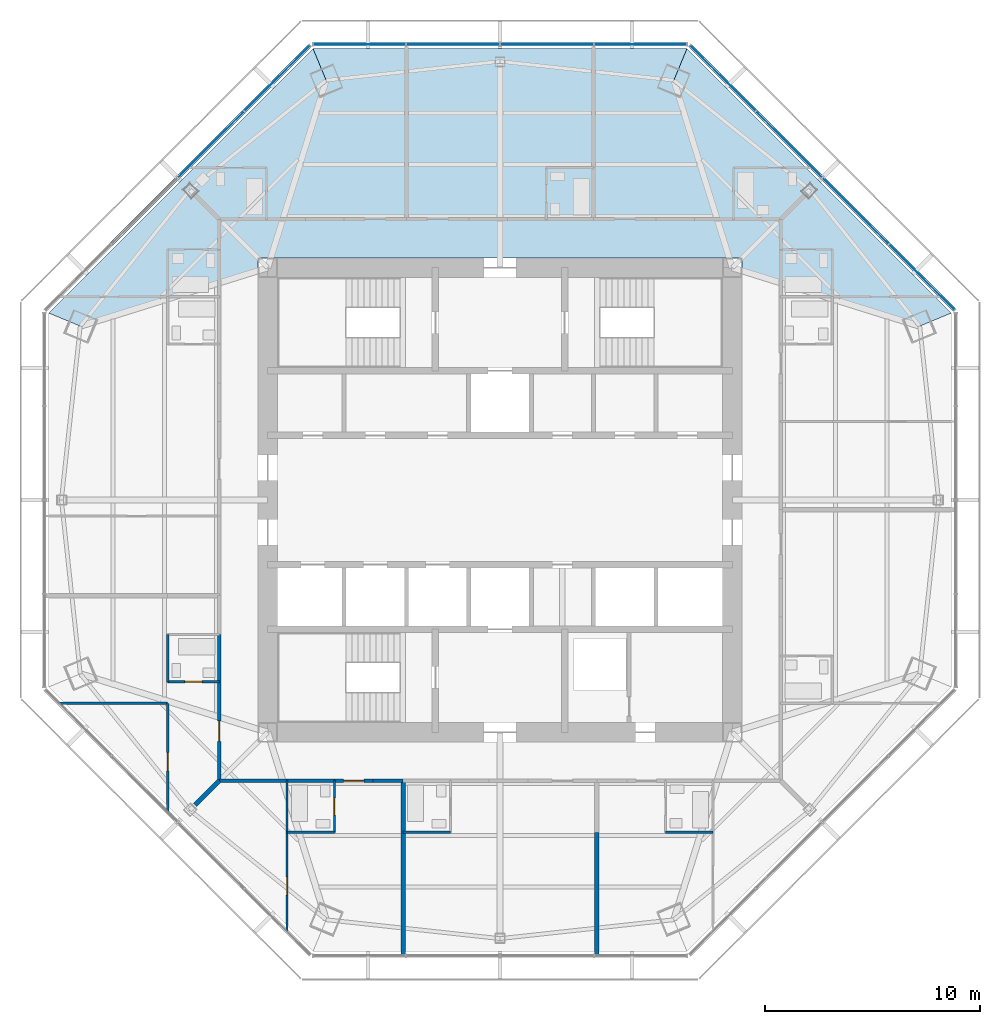
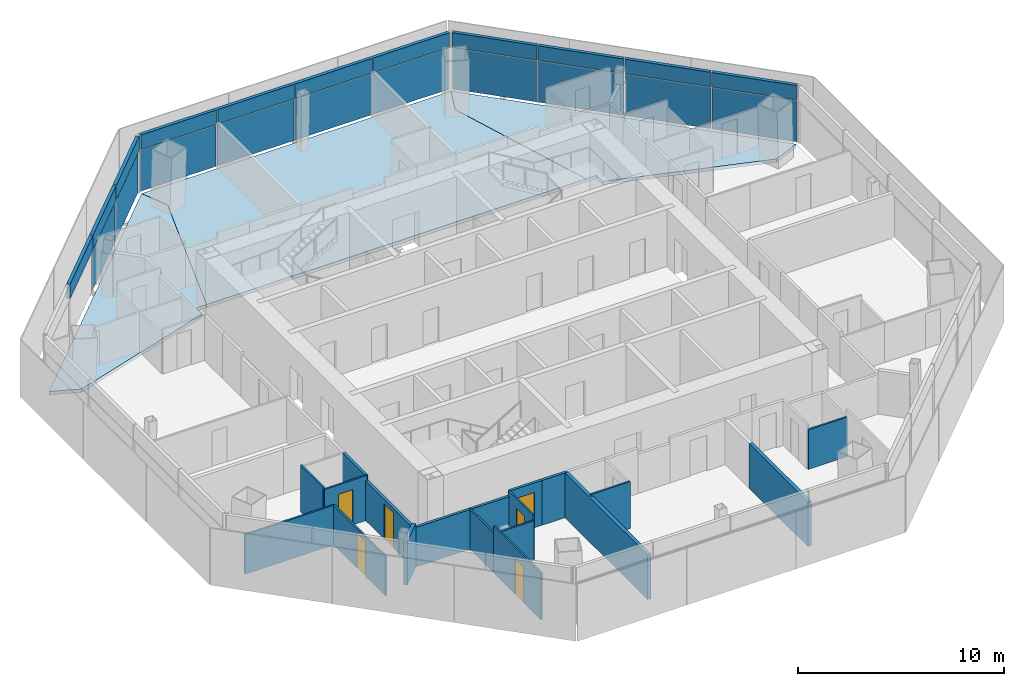
# One storey, part 8 of 14: 21 plates, 19 walls, 6 doors, 3 slabs, 6 openings, 3 elements without a shape of their own.
"""IFC4 building model written with IfcOpenShell, lengths in metres."""

from ifc_helpers import new_model, si_unit, direction, frame, frame_2d, origin, origin_2d, place, context, subcontext, project, spatial, polyline, rectangle, outline, extrude, source, transform, mapped, material, layer, layer_set, type_object, type_shapes, element, fill, aggregate, save


model = new_model("IFC4")

# Units and contexts
model_context = context("Model", 3, precision=1e-05, world=origin(), true_north=direction((0.0, 1.0)))
body_context = subcontext(model_context, "Body", "Model", "MODEL_VIEW")
ifc_project = project(units=[si_unit("LENGTHUNIT", "METRE"), si_unit("AREAUNIT", "SQUARE_METRE"), si_unit("VOLUMEUNIT", "CUBIC_METRE"), si_unit("PLANEANGLEUNIT", "RADIAN"), si_unit("MASSUNIT", "GRAM", prefix="KILO")], contexts=[model_context])

# Site, building, storey
site_placement = place(None, origin())
site = spatial("IfcSite", under=ifc_project, at=site_placement, CompositionType="ELEMENT")
building_placement = place(site_placement, origin())
building = spatial("IfcBuilding", under=site, at=building_placement, Name="Mashrafa Tower", CompositionType="ELEMENT")
storey_placement = place(building_placement, frame((0.0, 0.0, 241.39990234375)))
storey = spatial("IfcBuildingStorey", under=building, at=storey_placement, Name="L57", CompositionType="ELEMENT", Elevation=241.39990234375)

# Slabs
ifc_material_1 = material(Name="Concrete C35/45", Category="concrete")
ifc_layer_1 = layer(ifc_material_1, 0.199951171875)
ifc_layer_set_1 = layer_set([ifc_layer_1], Name="Floor slab 200")
slab_type = type_object("IfcSlabType", Name="Floor slab 200", PredefinedType="FLOOR", material=ifc_layer_set_1)
slab_1_placement = place(storey_placement, frame((0.0, 0.0, -0.199951171875)))
element("IfcSlab", 1, at=slab_1_placement, inside=storey, type_object=slab_type, Name="Floor slab L57 north-east bay", PredefinedType="FLOOR", context=body_context, shape_type="SweptSolid", body=[
    extrude(outline(polyline([(20.98583984375, 8.692626953125), (19.51318359375, 8.082763671875), (11.25, 10.65966796875), (11.25, 11.25), (10.65966796875, 11.25), (8.082763671875, 19.51318359375), (8.692626953125, 20.98583984375), (20.98583984375, 8.692626953125)])), origin(), (0.0, 0.0, 1.0), 0.199951171875),
])
slab_2_placement = place(storey_placement, frame((0.0, 0.0, -0.199951171875)))
element("IfcSlab", 2, at=slab_2_placement, inside=storey, type_object=slab_type, Name="Floor slab L57 north bay", PredefinedType="FLOOR", context=body_context, shape_type="SweptSolid", body=[
    extrude(outline(polyline([(-8.692626953125, 20.98583984375), (8.692626953125, 20.98583984375), (8.692626953125, 20.98583984375), (8.082763671875, 19.51318359375), (10.65966796875, 11.25), (-10.65966796875, 11.25), (-8.082763671875, 19.51318359375), (-8.692626953125, 20.98583984375), (-8.692626953125, 20.98583984375)])), origin(), (0.0, 0.0, 1.0), 0.199951171875),
])
slab_3_placement = place(storey_placement, frame((0.0, 0.0, -0.199951171875)))
element("IfcSlab", 3, at=slab_3_placement, inside=storey, type_object=slab_type, Name="Floor slab L57 north-west bay", PredefinedType="FLOOR", context=body_context, shape_type="SweptSolid", body=[
    extrude(outline(polyline([(-8.692626953125, 20.98583984375), (-8.082763671875, 19.51318359375), (-10.65966796875, 11.25), (-11.25, 11.25), (-11.25, 10.65966796875), (-19.51318359375, 8.082763671875), (-20.98583984375, 8.692626953125), (-8.692626953125, 20.98583984375)])), origin(), (0.0, 0.0, 1.0), 0.199951171875),
])

# Curtain wall, plates
ifc_material_2 = material(Name="Unitised aluminium curtain wall", Category="aluminium")
curtain_wall_type = type_object("IfcCurtainWallType", Name="Apartment curtain wall, zone 3 CW-C 180 deep", PredefinedType="NOTDEFINED", material=ifc_material_2)
curtain_wall_1_placement = place(storey_placement, origin())
curtain_wall_1 = element("IfcCurtainWall", 4, at=curtain_wall_1_placement, inside=storey, type_object=curtain_wall_type, Name="Apartment curtain wall, zone 3 L57 north-east", PredefinedType="NOTDEFINED")
ifc_material_3 = material(Name="Insulated double glazing, acoustic", Category="glass")
ifc_layer_2 = layer(ifc_material_3, 0.028076171875)
ifc_layer_set_2 = layer_set([ifc_layer_2], Name="Vision panel CW-C 28")
plate_type_1 = type_object("IfcPlateType", Name="Vision panel CW-C 28", PredefinedType="CURTAIN_PANEL", material=ifc_layer_set_2)
shared_shape_1 = source(origin(), body_context, "Body", "SweptSolid", [
    extrude(rectangle(XDim=4.274169921875, YDim=0.028076171875, at=origin_2d()), origin(), (0.0, 0.0, 1.0), 2.46240234375),
])
plate_1_placement = place(storey_placement, frame((19.598876953125, 10.362548828125, 0.000244140625), z_axis=(0.0, 0.0, 1.0), x_axis=(-0.707106781187, 0.707106781187, 0.0)))
plate_1 = element("IfcPlate", 5, at=plate_1_placement, type_object=plate_type_1, Name="CW-C vision panel 1", PredefinedType="CURTAIN_PANEL", context=body_context, shape_type="MappedRepresentation", body=[
    mapped(shared_shape_1, transform((0.0, 0.0, 0.0))),
])
plate_2_placement = place(storey_placement, frame((10.362548828125, 19.598876953125, 0.000244140625), z_axis=(0.0, 0.0, 1.0), x_axis=(-0.707106781187, 0.707106781187, 0.0)))
plate_2 = element("IfcPlate", 6, at=plate_2_placement, type_object=plate_type_1, Name="CW-C vision panel 4", PredefinedType="CURTAIN_PANEL", context=body_context, shape_type="MappedRepresentation", body=[
    mapped(shared_shape_1, transform((0.0, 0.0, 0.0))),
])

curtain_wall_2_placement = place(storey_placement, origin())
curtain_wall_2 = element("IfcCurtainWall", 7, at=curtain_wall_2_placement, inside=storey, type_object=curtain_wall_type, Name="Apartment curtain wall, zone 3 L57 north", PredefinedType="NOTDEFINED")
plate_3_placement = place(storey_placement, frame((6.53125, 21.185791015625, 0.000244140625), z_axis=(0.0, 0.0, 1.0), x_axis=(-1.0, 0.0, 0.0)))
plate_3 = element("IfcPlate", 8, at=plate_3_placement, type_object=plate_type_1, Name="CW-C vision panel 1", PredefinedType="CURTAIN_PANEL", context=body_context, shape_type="MappedRepresentation", body=[
    mapped(shared_shape_1, transform((0.0, 0.0, 0.0))),
])
plate_4_placement = place(storey_placement, frame((-6.53125, 21.185791015625, 0.000244140625), z_axis=(0.0, 0.0, 1.0), x_axis=(-1.0, 0.0, 0.0)))
plate_4 = element("IfcPlate", 9, at=plate_4_placement, type_object=plate_type_1, Name="CW-C vision panel 4", PredefinedType="CURTAIN_PANEL", context=body_context, shape_type="MappedRepresentation", body=[
    mapped(shared_shape_1, transform((0.0, 0.0, 0.0))),
])

# Curtain wall, plate
curtain_wall_3_placement = place(storey_placement, origin())
curtain_wall_3 = element("IfcCurtainWall", 10, at=curtain_wall_3_placement, inside=storey, type_object=curtain_wall_type, Name="Apartment curtain wall, zone 3 L57 north-west", PredefinedType="NOTDEFINED")
plate_5_placement = place(storey_placement, frame((-10.362548828125, 19.598876953125, 0.000244140625), z_axis=(0.0, 0.0, 1.0), x_axis=(-0.707106781187, -0.707106781187, 0.0)))
plate_5 = element("IfcPlate", 11, at=plate_5_placement, type_object=plate_type_1, Name="CW-C vision panel 1", PredefinedType="CURTAIN_PANEL", context=body_context, shape_type="MappedRepresentation", body=[
    mapped(shared_shape_1, transform((0.0, 0.0, 0.0))),
])

# Plate
ifc_material_4 = material(Name="Insulated bronze aluminium spandrel panel", Category="aluminium")
ifc_layer_3 = layer(ifc_material_4, 0.179931640625)
ifc_layer_set_3 = layer_set([ifc_layer_3], Name="Spandrel panel CW-C 180")
plate_type_2 = type_object("IfcPlateType", Name="Spandrel panel CW-C 180", PredefinedType="CURTAIN_PANEL", material=ifc_layer_set_3)
shared_shape_2 = source(origin(), body_context, "Body", "SweptSolid", [
    extrude(rectangle(XDim=4.274169921875, YDim=0.179931640625, at=origin_2d()), origin(), (0.0, 0.0, 1.0), 0.862548828125),
])
plate_6_placement = place(storey_placement, frame((19.598876953125, 10.362548828125, 2.53759765625), z_axis=(0.0, 0.0, 1.0), x_axis=(-0.707106781187, 0.707106781187, 0.0)))
plate_6 = element("IfcPlate", 12, at=plate_6_placement, type_object=plate_type_2, Name="CW-C spandrel panel 1", PredefinedType="CURTAIN_PANEL", context=body_context, shape_type="MappedRepresentation", body=[
    mapped(shared_shape_2, transform((0.0, 0.0, 0.0))),
])

plate_7_placement = place(storey_placement, frame((10.362548828125, 19.598876953125, 2.53759765625), z_axis=(0.0, 0.0, 1.0), x_axis=(-0.707106781187, 0.707106781187, 0.0)))
plate_7 = element("IfcPlate", 13, at=plate_7_placement, type_object=plate_type_2, Name="CW-C spandrel panel 4", PredefinedType="CURTAIN_PANEL", context=body_context, shape_type="MappedRepresentation", body=[
    mapped(shared_shape_2, transform((0.0, 0.0, 0.0))),
])

plate_8_placement = place(storey_placement, frame((6.53125, 21.185791015625, 2.53759765625), z_axis=(0.0, 0.0, 1.0), x_axis=(-1.0, 0.0, 0.0)))
plate_8 = element("IfcPlate", 14, at=plate_8_placement, type_object=plate_type_2, Name="CW-C spandrel panel 1", PredefinedType="CURTAIN_PANEL", context=body_context, shape_type="MappedRepresentation", body=[
    mapped(shared_shape_2, transform((0.0, 0.0, 0.0))),
])

plate_9_placement = place(storey_placement, frame((-6.53125, 21.185791015625, 2.53759765625), z_axis=(0.0, 0.0, 1.0), x_axis=(-1.0, 0.0, 0.0)))
plate_9 = element("IfcPlate", 15, at=plate_9_placement, type_object=plate_type_2, Name="CW-C spandrel panel 4", PredefinedType="CURTAIN_PANEL", context=body_context, shape_type="MappedRepresentation", body=[
    mapped(shared_shape_2, transform((0.0, 0.0, 0.0))),
])

plate_10_placement = place(storey_placement, frame((-10.362548828125, 19.598876953125, 2.53759765625), z_axis=(0.0, 0.0, 1.0), x_axis=(-0.707106781187, -0.707106781187, 0.0)))
plate_10 = element("IfcPlate", 16, at=plate_10_placement, type_object=plate_type_2, Name="CW-C spandrel panel 1", PredefinedType="CURTAIN_PANEL", context=body_context, shape_type="MappedRepresentation", body=[
    mapped(shared_shape_2, transform((0.0, 0.0, 0.0))),
])

shared_shape_3 = source(origin(), body_context, "Body", "SweptSolid", [
    extrude(rectangle(XDim=4.30419921875, YDim=0.028076171875, at=origin_2d()), origin(), (0.0, 0.0, 1.0), 2.46240234375),
])
type_shapes(plate_type_1, [shared_shape_1, shared_shape_3])
plate_11_placement = place(storey_placement, frame((16.523681640625, 13.437744140625, 0.000244140625), z_axis=(0.0, 0.0, 1.0), x_axis=(-0.707106781187, 0.707106781187, 0.0)))
plate_11 = element("IfcPlate", 17, at=plate_11_placement, type_object=plate_type_1, Name="CW-C vision panel 2", PredefinedType="CURTAIN_PANEL", context=body_context, shape_type="MappedRepresentation", body=[
    mapped(shared_shape_3, transform((0.0, 0.0, 0.0))),
])

plate_12_placement = place(storey_placement, frame((13.437744140625, 16.523681640625, 0.000244140625), z_axis=(0.0, 0.0, 1.0), x_axis=(-0.707106781187, 0.707106781187, 0.0)))
plate_12 = element("IfcPlate", 18, at=plate_12_placement, type_object=plate_type_1, Name="CW-C vision panel 3", PredefinedType="CURTAIN_PANEL", context=body_context, shape_type="MappedRepresentation", body=[
    mapped(shared_shape_3, transform((0.0, 0.0, 0.0))),
])

plate_13_placement = place(storey_placement, frame((2.18212890625, 21.185791015625, 0.000244140625), z_axis=(0.0, 0.0, 1.0), x_axis=(-1.0, 0.0, 0.0)))
plate_13 = element("IfcPlate", 19, at=plate_13_placement, type_object=plate_type_1, Name="CW-C vision panel 2", PredefinedType="CURTAIN_PANEL", context=body_context, shape_type="MappedRepresentation", body=[
    mapped(shared_shape_3, transform((0.0, 0.0, 0.0))),
])

plate_14_placement = place(storey_placement, frame((-2.18212890625, 21.185791015625, 0.000244140625), z_axis=(0.0, 0.0, 1.0), x_axis=(-1.0, 0.0, 0.0)))
plate_14 = element("IfcPlate", 20, at=plate_14_placement, type_object=plate_type_1, Name="CW-C vision panel 3", PredefinedType="CURTAIN_PANEL", context=body_context, shape_type="MappedRepresentation", body=[
    mapped(shared_shape_3, transform((0.0, 0.0, 0.0))),
])

plate_15_placement = place(storey_placement, frame((-13.437744140625, 16.523681640625, 0.000244140625), z_axis=(0.0, 0.0, 1.0), x_axis=(-0.707106781187, -0.707106781187, 0.0)))
plate_15 = element("IfcPlate", 21, at=plate_15_placement, type_object=plate_type_1, Name="CW-C vision panel 2", PredefinedType="CURTAIN_PANEL", context=body_context, shape_type="MappedRepresentation", body=[
    mapped(shared_shape_3, transform((0.0, 0.0, 0.0))),
])

shared_shape_4 = source(origin(), body_context, "Body", "SweptSolid", [
    extrude(rectangle(XDim=4.30419921875, YDim=0.179931640625, at=origin_2d()), origin(), (0.0, 0.0, 1.0), 0.862548828125),
])
type_shapes(plate_type_2, [shared_shape_2, shared_shape_4])
plate_16_placement = place(storey_placement, frame((16.523681640625, 13.437744140625, 2.53759765625), z_axis=(0.0, 0.0, 1.0), x_axis=(-0.707106781187, 0.707106781187, 0.0)))
plate_16 = element("IfcPlate", 22, at=plate_16_placement, type_object=plate_type_2, Name="CW-C spandrel panel 2", PredefinedType="CURTAIN_PANEL", context=body_context, shape_type="MappedRepresentation", body=[
    mapped(shared_shape_4, transform((0.0, 0.0, 0.0))),
])

plate_17_placement = place(storey_placement, frame((13.437744140625, 16.523681640625, 2.53759765625), z_axis=(0.0, 0.0, 1.0), x_axis=(-0.707106781187, 0.707106781187, 0.0)))
plate_17 = element("IfcPlate", 23, at=plate_17_placement, type_object=plate_type_2, Name="CW-C spandrel panel 3", PredefinedType="CURTAIN_PANEL", context=body_context, shape_type="MappedRepresentation", body=[
    mapped(shared_shape_4, transform((0.0, 0.0, 0.0))),
])

aggregate(curtain_wall_1, [plate_1, plate_6, plate_11, plate_16, plate_12, plate_17, plate_2, plate_7])

plate_18_placement = place(storey_placement, frame((2.18212890625, 21.185791015625, 2.53759765625), z_axis=(0.0, 0.0, 1.0), x_axis=(-1.0, 0.0, 0.0)))
plate_18 = element("IfcPlate", 24, at=plate_18_placement, type_object=plate_type_2, Name="CW-C spandrel panel 2", PredefinedType="CURTAIN_PANEL", context=body_context, shape_type="MappedRepresentation", body=[
    mapped(shared_shape_4, transform((0.0, 0.0, 0.0))),
])

plate_19_placement = place(storey_placement, frame((-2.18212890625, 21.185791015625, 2.53759765625), z_axis=(0.0, 0.0, 1.0), x_axis=(-1.0, 0.0, 0.0)))
plate_19 = element("IfcPlate", 25, at=plate_19_placement, type_object=plate_type_2, Name="CW-C spandrel panel 3", PredefinedType="CURTAIN_PANEL", context=body_context, shape_type="MappedRepresentation", body=[
    mapped(shared_shape_4, transform((0.0, 0.0, 0.0))),
])

aggregate(curtain_wall_2, [plate_3, plate_8, plate_13, plate_18, plate_14, plate_19, plate_4, plate_9])

plate_20_placement = place(storey_placement, frame((-13.437744140625, 16.523681640625, 2.53759765625), z_axis=(0.0, 0.0, 1.0), x_axis=(-0.707106781187, -0.707106781187, 0.0)))
plate_20 = element("IfcPlate", 26, at=plate_20_placement, type_object=plate_type_2, Name="CW-C spandrel panel 2", PredefinedType="CURTAIN_PANEL", context=body_context, shape_type="MappedRepresentation", body=[
    mapped(shared_shape_4, transform((0.0, 0.0, 0.0))),
])

plate_21_placement = place(storey_placement, frame((-16.523681640625, 13.437744140625, 2.53759765625), z_axis=(0.0, 0.0, 1.0), x_axis=(-0.707106781187, -0.707106781187, 0.0)))
plate_21 = element("IfcPlate", 27, at=plate_21_placement, type_object=plate_type_2, Name="CW-C spandrel panel 3", PredefinedType="CURTAIN_PANEL", context=body_context, shape_type="MappedRepresentation", body=[
    mapped(shared_shape_4, transform((0.0, 0.0, 0.0))),
])

aggregate(curtain_wall_3, [plate_5, plate_10, plate_15, plate_20, plate_21])

# Walls
ifc_material_5 = material(Name="Gypsum board on steel studs", Category="steel")
ifc_layer_4 = layer(ifc_material_5, 0.199951171875)
ifc_layer_set_4 = layer_set([ifc_layer_4], Name="Acoustic partition 200 1 hr")
wall_type_1 = type_object("IfcWallType", Name="Acoustic partition 200 1 hr", PredefinedType="PARTITIONING", material=ifc_layer_set_4)
wall_1_placement = place(storey_placement, frame((-14.17431640625, -14.17431640625, 0.0), z_axis=(0.0, 0.0, 1.0), x_axis=(0.707106781187, 0.707106781187, 0.0)))
element("IfcWall", 28, at=wall_1_placement, inside=storey, type_object=wall_type_1, Name="Acoustic wall L57-085", PredefinedType="PARTITIONING", context=body_context, shape_type="SweptSolid", body=[
    extrude(rectangle(XDim=1.58984375, YDim=0.199951171875, at=frame_2d((0.794921875, 0.0))), origin(), (0.0, 0.0, 1.0), 2.588134765625),
])
wall_2_placement = place(storey_placement, frame((-4.5, -13.050048828125, 0.0), z_axis=(0.0, 0.0, 1.0), x_axis=(0.0, -1.0, 0.0)))
element("IfcWall", 29, at=wall_2_placement, inside=storey, type_object=wall_type_1, Name="Acoustic wall L57-090", PredefinedType="PARTITIONING", context=body_context, shape_type="SweptSolid", body=[
    extrude(rectangle(XDim=8.117919921875, YDim=0.199951171875, at=frame_2d((4.05908203125, 0.0))), origin(), (0.0, 0.0, 1.0), 2.661865234375),
])
wall_3_placement = place(storey_placement, frame((4.5, -21.16796875, 0.0), z_axis=(0.0, 0.0, 1.0), x_axis=(0.0, 1.0, 0.0)))
element("IfcWall", 30, at=wall_3_placement, inside=storey, type_object=wall_type_1, Name="Acoustic wall L57-095", PredefinedType="PARTITIONING", context=body_context, shape_type="SweptSolid", body=[
    extrude(rectangle(XDim=5.718994140625, YDim=0.199951171875, at=frame_2d((2.859375, 0.0))), origin(), (0.0, 0.0, 1.0), 2.661865234375),
])
ifc_material_6 = material(Name="Gypsum board on steel studs", Category="steel")
ifc_layer_5 = layer(ifc_material_6, 0.14990234375)
ifc_layer_set_5 = layer_set([ifc_layer_5], Name="Corridor partition 150 1 hr")
wall_type_2 = type_object("IfcWallType", Name="Corridor partition 150 1 hr", PredefinedType="PARTITIONING", material=ifc_layer_set_5)
wall_4_placement = place(storey_placement, frame((-13.050048828125, -6.2490234375, 0.0), z_axis=(0.0, 0.0, 1.0), x_axis=(0.0, -1.0, 0.0)))
element("IfcWall", 31, at=wall_4_placement, inside=storey, type_object=wall_type_2, Name="Corridor wall L57-031", PredefinedType="PARTITIONING", context=body_context, shape_type="SweptSolid", body=[
    extrude(rectangle(XDim=2.201904296875, YDim=0.14990234375, at=frame_2d((1.10107421875, 0.0))), origin(), (0.0, 0.0, 1.0), 2.661865234375),
])

# Wall, opening, door
wall_5_placement = place(storey_placement, frame((-13.050048828125, -8.448974609375, 0.0), z_axis=(0.0, 0.0, 1.0), x_axis=(0.0, -1.0, 0.0)))
wall_5 = element("IfcWall", 32, at=wall_5_placement, inside=storey, type_object=wall_type_2, Name="Corridor wall L57-033", PredefinedType="PARTITIONING", context=body_context, shape_type="SweptSolid", body=[
    extrude(rectangle(XDim=4.60107421875, YDim=0.14990234375, at=frame_2d((2.300537109375, 0.0))), origin(), (0.0, 0.0, 1.0), 2.349365234375),
])
opening_1_placement = place(wall_5_placement, frame((1.825439453125, 0.0, 0.0)))
opening_1 = element("IfcOpeningElement", 33, at=opening_1_placement, cuts=wall_5, Name="Opening 57.022", PredefinedType="OPENING", context=body_context, shape_type="SweptSolid", body=[
    extrude(rectangle(XDim=0.949951171875, YDim=2.10009765625, at=frame_2d((0.47509765625, 1.050048828125))), frame((0.0, 0.0849609375, 0.0), z_axis=(0.0, -1.0, 0.0), x_axis=(1.0, 0.0, 0.0)), (0.0, 0.0, 1.0), 0.169921875),
])
ifc_material_7 = material(Name="Steel door", Category="steel")
door_type_1 = type_object("IfcDoorType", Name="Residence entrance door 950 x 2100 20 min", OperationType="USERDEFINED", PredefinedType="DOOR", material=ifc_material_7)
door_1_placement = place(opening_1_placement, frame((0.949951171875, 0.0, 0.0), z_axis=(0.0, 0.0, 1.0), x_axis=(-1.0, 0.0, 0.0)))
door_1 = element("IfcDoor", 34, at=door_1_placement, inside=storey, type_object=door_type_1, Name="Apartment 5707 Living Room door", OperationType="SINGLE_SWING_LEFT", OverallHeight=2.10009765625, OverallWidth=0.949951171875, PredefinedType="DOOR", context=body_context, shape_type="SweptSolid", body=[
    extrude(rectangle(XDim=0.949951171875, YDim=2.10009765625, at=frame_2d((0.47509765625, 1.050048828125))), frame((0.0, 0.02490234375, 0.0), z_axis=(0.0, -1.0, 0.0), x_axis=(1.0, 0.0, 0.0)), (0.0, 0.0, 1.0), 0.050048828125),
])
fill(opening_1, door_1)

# Walls
wall_6_placement = place(storey_placement, frame((-13.050048828125, -13.050048828125, 0.0), z_axis=(0.0, 0.0, 1.0), x_axis=(1.0, 0.0, 0.0)))
element("IfcWall", 35, at=wall_6_placement, inside=storey, type_object=wall_type_2, Name="Corridor wall L57-034", PredefinedType="PARTITIONING", context=body_context, shape_type="SweptSolid", body=[
    extrude(rectangle(XDim=3.151123046875, YDim=0.14990234375, at=frame_2d((1.57568359375, 0.0))), origin(), (0.0, 0.0, 1.0), 2.349365234375),
])
wall_7_placement = place(storey_placement, frame((-9.90087890625, -13.050048828125, 0.0), z_axis=(0.0, 0.0, 1.0), x_axis=(1.0, 0.0, 0.0)))
element("IfcWall", 36, at=wall_7_placement, inside=storey, type_object=wall_type_2, Name="Corridor wall L57-035", PredefinedType="PARTITIONING", context=body_context, shape_type="SweptSolid", body=[
    extrude(rectangle(XDim=2.201904296875, YDim=0.14990234375, at=frame_2d((1.10107421875, 0.0))), origin(), (0.0, 0.0, 1.0), 2.349365234375),
])
wall_8_placement = place(storey_placement, frame((-5.90087890625, -13.050048828125, 0.0), z_axis=(0.0, 0.0, 1.0), x_axis=(1.0, 0.0, 0.0)))
element("IfcWall", 37, at=wall_8_placement, inside=storey, type_object=wall_type_2, Name="Corridor wall L57-036", PredefinedType="PARTITIONING", context=body_context, shape_type="SweptSolid", body=[
    extrude(rectangle(XDim=1.40185546875, YDim=0.14990234375, at=frame_2d((0.700927734375, 0.0))), origin(), (0.0, 0.0, 1.0), 2.661865234375),
])

# Wall, opening, door
wall_9_placement = place(storey_placement, frame((-7.700927734375, -13.050048828125, 0.0), z_axis=(0.0, 0.0, 1.0), x_axis=(1.0, 0.0, 0.0)))
wall_9 = element("IfcWall", 38, at=wall_9_placement, inside=storey, type_object=wall_type_2, Name="Corridor wall L57-037", PredefinedType="PARTITIONING", context=body_context, shape_type="SweptSolid", body=[
    extrude(rectangle(XDim=1.802001953125, YDim=0.14990234375, at=frame_2d((0.90087890625, 0.0))), origin(), (0.0, 0.0, 1.0), 2.661865234375),
])
opening_2_placement = place(wall_9_placement, frame((0.426025390625, 0.0, 0.0)))
opening_2 = element("IfcOpeningElement", 39, at=opening_2_placement, cuts=wall_9, Name="Opening 57.025", PredefinedType="OPENING", context=body_context, shape_type="SweptSolid", body=[
    extrude(rectangle(XDim=0.949951171875, YDim=2.10009765625, at=frame_2d((0.47509765625, 1.050048828125))), frame((0.0, 0.0849609375, 0.0), z_axis=(0.0, -1.0, 0.0), x_axis=(1.0, 0.0, 0.0)), (0.0, 0.0, 1.0), 0.169921875),
])
door_2_placement = place(opening_2_placement, frame((0.949951171875, 0.0, 0.0), z_axis=(0.0, 0.0, 1.0), x_axis=(-1.0, 0.0, 0.0)))
door_2 = element("IfcDoor", 40, at=door_2_placement, inside=storey, type_object=door_type_1, Name="Apartment 5708 Living Room door", OperationType="SINGLE_SWING_LEFT", OverallHeight=2.10009765625, OverallWidth=0.949951171875, PredefinedType="DOOR", context=body_context, shape_type="SweptSolid", body=[
    extrude(rectangle(XDim=0.949951171875, YDim=2.10009765625, at=frame_2d((0.47509765625, 1.050048828125))), frame((0.0, 0.02490234375, 0.0), z_axis=(0.0, -1.0, 0.0), x_axis=(1.0, 0.0, 0.0)), (0.0, 0.0, 1.0), 0.050048828125),
])
fill(opening_2, door_2)

ifc_material_8 = material(Name="Gypsum board on steel studs", Category="steel")
ifc_layer_6 = layer(ifc_material_8, 0.10009765625)
ifc_layer_set_6 = layer_set([ifc_layer_6], Name="Partition 100")
wall_type_3 = type_object("IfcWallType", Name="Partition 100", PredefinedType="PARTITIONING", material=ifc_layer_set_6)
wall_10_placement = place(storey_placement, frame((-15.449951171875, -14.489501953125, 0.0), z_axis=(0.0, 0.0, 1.0), x_axis=(0.0, 1.0, 0.0)))
wall_10 = element("IfcWall", 41, at=wall_10_placement, inside=storey, type_object=wall_type_3, Name="Partition wall L57-080", PredefinedType="PARTITIONING", context=body_context, shape_type="SweptSolid", body=[
    extrude(rectangle(XDim=5.03955078125, YDim=0.10009765625, at=frame_2d((2.519775390625, 0.0))), origin(), (0.0, 0.0, 1.0), 2.349365234375),
])
opening_3_placement = place(wall_10_placement, frame((1.89794921875, 0.0, 0.0)))
opening_3 = element("IfcOpeningElement", 42, at=opening_3_placement, cuts=wall_10, Name="Opening 57.020", PredefinedType="OPENING", context=body_context, shape_type="SweptSolid", body=[
    extrude(rectangle(XDim=0.85009765625, YDim=2.10009765625, at=frame_2d((0.425048828125, 1.050048828125))), frame((0.0, 0.06005859375, 0.0), z_axis=(0.0, -1.0, 0.0), x_axis=(1.0, 0.0, 0.0)), (0.0, 0.0, 1.0), 0.1201171875),
])
ifc_material_9 = material(Name="Timber door", Category="wood")
door_type_2 = type_object("IfcDoorType", Name="Bedroom door 850 x 2100", OperationType="USERDEFINED", PredefinedType="DOOR", material=ifc_material_9)
door_3_placement = place(opening_3_placement, origin())
door_3 = element("IfcDoor", 43, at=door_3_placement, inside=storey, type_object=door_type_2, Name="Apartment 5707 Bedroom 1 door", OperationType="SINGLE_SWING_LEFT", OverallHeight=2.10009765625, OverallWidth=0.85009765625, PredefinedType="DOOR", context=body_context, shape_type="SweptSolid", body=[
    extrude(rectangle(XDim=0.85009765625, YDim=2.10009765625, at=frame_2d((0.425048828125, 1.050048828125))), frame((0.0, 0.02490234375, 0.0), z_axis=(0.0, -1.0, 0.0), x_axis=(1.0, 0.0, 0.0)), (0.0, 0.0, 1.0), 0.050048828125),
])
fill(opening_3, door_3)

# Walls
wall_11_placement = place(storey_placement, frame((-15.449951171875, -9.449951171875, 0.0), z_axis=(0.0, 0.0, 1.0), x_axis=(-1.0, 0.0, 0.0)))
element("IfcWall", 44, at=wall_11_placement, inside=storey, type_object=wall_type_3, Name="Partition wall L57-081", PredefinedType="PARTITIONING", context=body_context, shape_type="SweptSolid", body=[
    extrude(rectangle(XDim=5.03759765625, YDim=0.10009765625, at=frame_2d((2.518798828125, 0.0))), origin(), (0.0, 0.0, 1.0), 2.349365234375),
])
wall_12_placement = place(storey_placement, frame((-15.449951171875, -6.25, 0.0), z_axis=(0.0, 0.0, 1.0), x_axis=(0.0, -1.0, 0.0)))
element("IfcWall", 45, at=wall_12_placement, inside=storey, type_object=wall_type_3, Name="Partition wall L57-083", PredefinedType="PARTITIONING", context=body_context, shape_type="SweptSolid", body=[
    extrude(rectangle(XDim=2.199951171875, YDim=0.10009765625, at=frame_2d((1.10009765625, 0.0))), origin(), (0.0, 0.0, 1.0), 2.78369140625),
])

# Wall, opening, door
wall_13_placement = place(storey_placement, frame((-15.449951171875, -8.449951171875, 0.0), z_axis=(0.0, 0.0, 1.0), x_axis=(1.0, 0.0, 0.0)))
wall_13 = element("IfcWall", 46, at=wall_13_placement, inside=storey, type_object=wall_type_3, Name="Partition wall L57-084", PredefinedType="PARTITIONING", context=body_context, shape_type="SweptSolid", body=[
    extrude(rectangle(XDim=2.39990234375, YDim=0.10009765625, at=frame_2d((1.199951171875, 0.0))), origin(), (0.0, 0.0, 1.0), 2.661865234375),
])
opening_4_placement = place(wall_13_placement, frame((0.800048828125, 0.0, 0.0)))
opening_4 = element("IfcOpeningElement", 47, at=opening_4_placement, cuts=wall_13, Name="Opening 57.021", PredefinedType="OPENING", context=body_context, shape_type="SweptSolid", body=[
    extrude(rectangle(XDim=0.800048828125, YDim=2.10009765625, at=frame_2d((0.39990234375, 1.050048828125))), frame((0.0, 0.06005859375, 0.0), z_axis=(0.0, -1.0, 0.0), x_axis=(1.0, 0.0, 0.0)), (0.0, 0.0, 1.0), 0.1201171875),
])
ifc_material_10 = material(Name="Timber door", Category="wood")
door_type_3 = type_object("IfcDoorType", Name="Bathroom door 800 x 2100", OperationType="USERDEFINED", PredefinedType="DOOR", material=ifc_material_10)
door_4_placement = place(opening_4_placement, origin())
door_4 = element("IfcDoor", 48, at=door_4_placement, inside=storey, type_object=door_type_3, Name="Apartment 5707 Bathroom door", OperationType="SINGLE_SWING_RIGHT", OverallHeight=2.10009765625, OverallWidth=0.800048828125, PredefinedType="DOOR", context=body_context, shape_type="SweptSolid", body=[
    extrude(rectangle(XDim=0.800048828125, YDim=2.10009765625, at=frame_2d((0.39990234375, 1.050048828125))), frame((0.0, 0.02490234375, 0.0), z_axis=(0.0, -1.0, 0.0), x_axis=(1.0, 0.0, 0.0)), (0.0, 0.0, 1.0), 0.050048828125),
])
fill(opening_4, door_4)

# Wall
wall_14_placement = place(storey_placement, frame((-9.89990234375, -15.450927734375, 0.0), z_axis=(0.0, 0.0, 1.0), x_axis=(0.0, 1.0, 0.0)))
element("IfcWall", 49, at=wall_14_placement, inside=storey, type_object=wall_type_3, Name="Partition wall L57-086", PredefinedType="PARTITIONING", context=body_context, shape_type="SweptSolid", body=[
    extrude(rectangle(XDim=2.40087890625, YDim=0.10009765625, at=frame_2d((1.200439453125, 0.0))), origin(), (0.0, 0.0, 1.0), 2.349365234375),
])

# Wall, opening, door
wall_15_placement = place(storey_placement, frame((-9.89990234375, -20.03955078125, 0.0), z_axis=(0.0, 0.0, 1.0), x_axis=(0.0, 1.0, 0.0)))
wall_15 = element("IfcWall", 50, at=wall_15_placement, inside=storey, type_object=wall_type_3, Name="Partition wall L57-087", PredefinedType="PARTITIONING", context=body_context, shape_type="SweptSolid", body=[
    extrude(rectangle(XDim=4.590576171875, YDim=0.10009765625, at=frame_2d((2.29541015625, 0.0))), origin(), (0.0, 0.0, 1.0), 2.78369140625),
])
opening_5_placement = place(wall_15_placement, frame((1.673583984375, 0.0, 0.0)))
opening_5 = element("IfcOpeningElement", 51, at=opening_5_placement, cuts=wall_15, Name="Opening 57.023", PredefinedType="OPENING", context=body_context, shape_type="SweptSolid", body=[
    extrude(rectangle(XDim=0.85009765625, YDim=2.10009765625, at=frame_2d((0.425048828125, 1.050048828125))), frame((0.0, 0.06005859375, 0.0), z_axis=(0.0, -1.0, 0.0), x_axis=(1.0, 0.0, 0.0)), (0.0, 0.0, 1.0), 0.1201171875),
])
door_5_placement = place(opening_5_placement, origin())
door_5 = element("IfcDoor", 52, at=door_5_placement, inside=storey, type_object=door_type_2, Name="Apartment 5708 Bedroom 1 door", OperationType="SINGLE_SWING_LEFT", OverallHeight=2.10009765625, OverallWidth=0.85009765625, PredefinedType="DOOR", context=body_context, shape_type="SweptSolid", body=[
    extrude(rectangle(XDim=0.85009765625, YDim=2.10009765625, at=frame_2d((0.425048828125, 1.050048828125))), frame((0.0, 0.02490234375, 0.0), z_axis=(0.0, -1.0, 0.0), x_axis=(1.0, 0.0, 0.0)), (0.0, 0.0, 1.0), 0.050048828125),
])
fill(opening_5, door_5)

# Wall
wall_16_placement = place(storey_placement, frame((-9.89990234375, -15.449951171875, 0.0), z_axis=(0.0, 0.0, 1.0), x_axis=(1.0, 0.0, 0.0)))
element("IfcWall", 53, at=wall_16_placement, inside=storey, type_object=wall_type_3, Name="Partition wall L57-088", PredefinedType="PARTITIONING", context=body_context, shape_type="SweptSolid", body=[
    extrude(rectangle(XDim=2.199951171875, YDim=0.10009765625, at=frame_2d((1.10009765625, 0.0))), origin(), (0.0, 0.0, 1.0), 2.349365234375),
])

# Wall, opening, door
wall_17_placement = place(storey_placement, frame((-7.699951171875, -15.449951171875, 0.0), z_axis=(0.0, 0.0, 1.0), x_axis=(0.0, 1.0, 0.0)))
wall_17 = element("IfcWall", 54, at=wall_17_placement, inside=storey, type_object=wall_type_3, Name="Partition wall L57-089", PredefinedType="PARTITIONING", context=body_context, shape_type="SweptSolid", body=[
    extrude(rectangle(XDim=2.39990234375, YDim=0.10009765625, at=frame_2d((1.199951171875, 0.0))), origin(), (0.0, 0.0, 1.0), 2.661865234375),
])
opening_6_placement = place(wall_17_placement, frame((0.800048828125, 0.0, 0.0)))
opening_6 = element("IfcOpeningElement", 55, at=opening_6_placement, cuts=wall_17, Name="Opening 57.024", PredefinedType="OPENING", context=body_context, shape_type="SweptSolid", body=[
    extrude(rectangle(XDim=0.800048828125, YDim=2.10009765625, at=frame_2d((0.39990234375, 1.050048828125))), frame((0.0, 0.06005859375, 0.0), z_axis=(0.0, -1.0, 0.0), x_axis=(1.0, 0.0, 0.0)), (0.0, 0.0, 1.0), 0.1201171875),
])
door_6_placement = place(opening_6_placement, origin())
door_6 = element("IfcDoor", 56, at=door_6_placement, inside=storey, type_object=door_type_3, Name="Apartment 5708 Bathroom door", OperationType="SINGLE_SWING_RIGHT", OverallHeight=2.10009765625, OverallWidth=0.800048828125, PredefinedType="DOOR", context=body_context, shape_type="SweptSolid", body=[
    extrude(rectangle(XDim=0.800048828125, YDim=2.10009765625, at=frame_2d((0.39990234375, 1.050048828125))), frame((0.0, 0.02490234375, 0.0), z_axis=(0.0, -1.0, 0.0), x_axis=(1.0, 0.0, 0.0)), (0.0, 0.0, 1.0), 0.050048828125),
])
fill(opening_6, door_6)

# Walls
wall_18_placement = place(storey_placement, frame((-4.5, -15.449951171875, 0.0), z_axis=(0.0, 0.0, 1.0), x_axis=(1.0, 0.0, 0.0)))
element("IfcWall", 57, at=wall_18_placement, inside=storey, type_object=wall_type_3, Name="Partition wall L57-092", PredefinedType="PARTITIONING", context=body_context, shape_type="SweptSolid", body=[
    extrude(rectangle(XDim=2.199951171875, YDim=0.10009765625, at=frame_2d((1.10009765625, 0.0))), origin(), (0.0, 0.0, 1.0), 2.78369140625),
])
wall_19_placement = place(storey_placement, frame((7.699951171875, -15.449951171875, 0.0), z_axis=(0.0, 0.0, 1.0), x_axis=(1.0, 0.0, 0.0)))
element("IfcWall", 58, at=wall_19_placement, inside=storey, type_object=wall_type_3, Name="Partition wall L57-099", PredefinedType="PARTITIONING", context=body_context, shape_type="SweptSolid", body=[
    extrude(rectangle(XDim=2.199951171875, YDim=0.10009765625, at=frame_2d((1.10009765625, 0.0))), origin(), (0.0, 0.0, 1.0), 2.349365234375),
])

save(model, "model.ifc")
